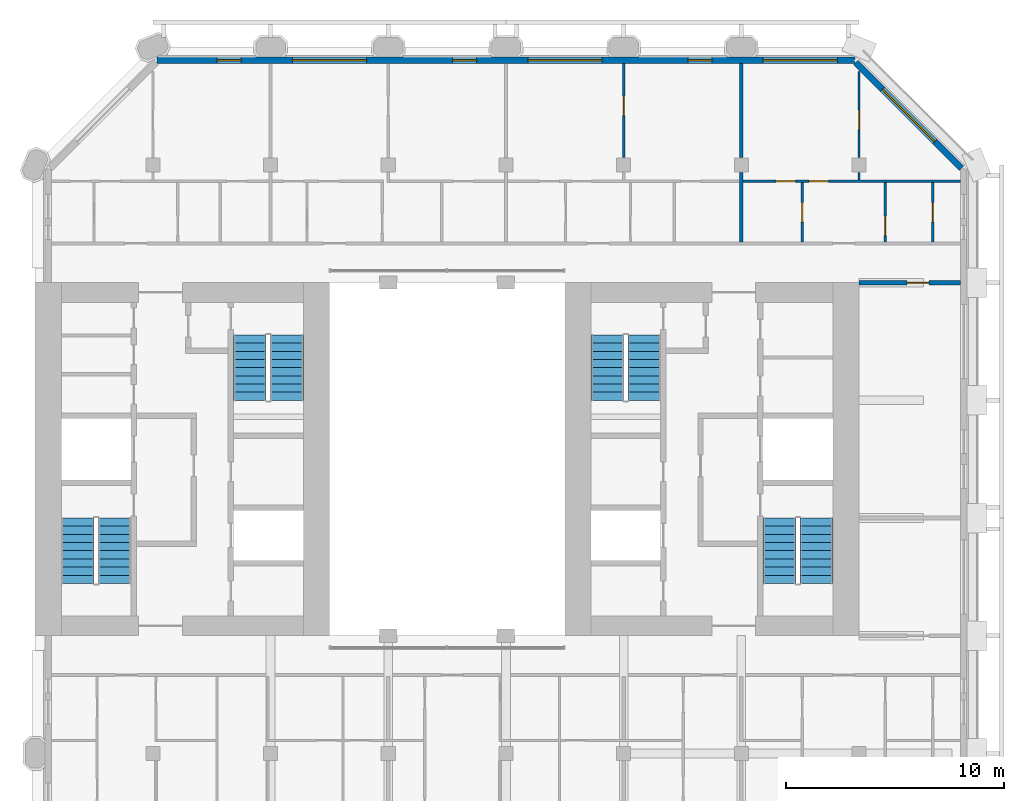
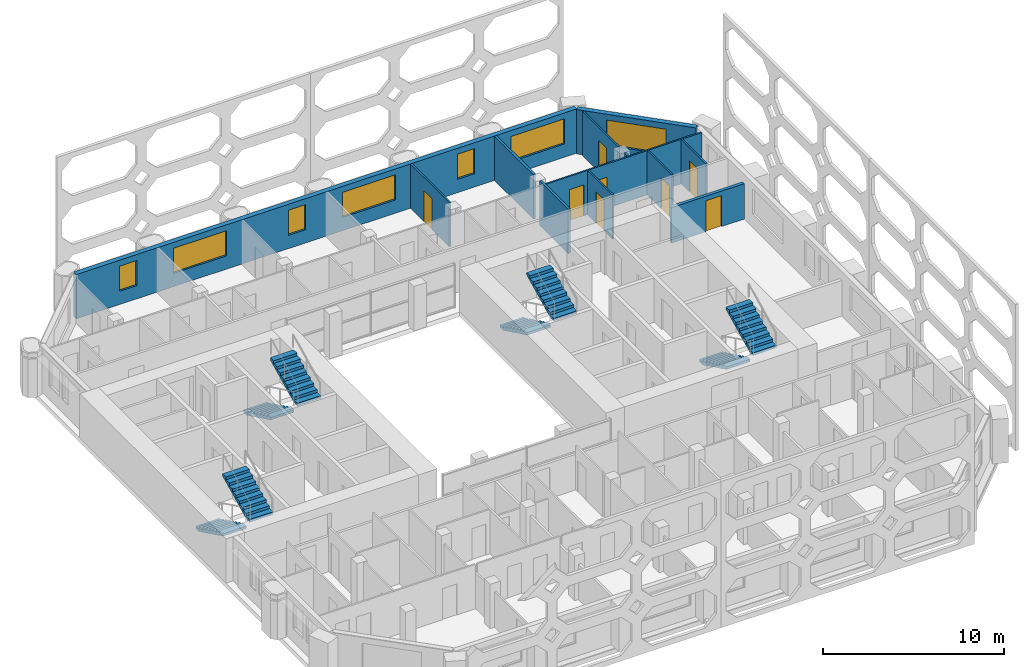
# One storey, part 11 of 15: 12 walls, 8 doors, 8 stair flights, 7 windows, 15 openings, 4 elements without a shape of their own.
"""IFC4 building model written with IfcOpenShell, lengths in metres."""

from ifc_helpers import new_model, si_unit, direction, frame, frame_2d, origin, place, context, subcontext, project, spatial, polyline, rectangle, outline, extrude, material, layer, layer_set, type_object, element, fill, aggregate, save


model = new_model("IFC4")

# Units and contexts
model_context = context("Model", 3, precision=1e-05, world=origin(), true_north=direction((0.0, 1.0)))
body_context = subcontext(model_context, "Body", "Model", "MODEL_VIEW")
ifc_project = project(units=[si_unit("LENGTHUNIT", "METRE"), si_unit("AREAUNIT", "SQUARE_METRE"), si_unit("VOLUMEUNIT", "CUBIC_METRE"), si_unit("PLANEANGLEUNIT", "RADIAN"), si_unit("MASSUNIT", "GRAM", prefix="KILO")], contexts=[model_context])

# Site, building, storey
site_placement = place(None, origin())
site = spatial("IfcSite", under=ifc_project, at=site_placement, CompositionType="ELEMENT")
building_placement = place(site_placement, origin())
building = spatial("IfcBuilding", under=site, at=building_placement, Name="Tabaq Tower and Sports Hall", CompositionType="ELEMENT")
storey_placement = place(building_placement, frame((0.0, 0.0, 278.5)))
storey = spatial("IfcBuildingStorey", under=building, at=storey_placement, Name="L68", CompositionType="ELEMENT", Elevation=278.5)

# Wall, opening, door
ifc_material_1 = material(Name="Blockwork", Category="masonry")
ifc_layer_1 = layer(ifc_material_1, 0.199951171875)
ifc_layer_set_1 = layer_set([ifc_layer_1], Name="Fire compartment wall 200 Blockwork")
wall_type_1 = type_object("IfcWallType", Name="Fire compartment wall 200 Blockwork", PredefinedType="PARTITIONING", material=ifc_layer_set_1)
wall_1_placement = place(storey_placement, frame((47.84912109375, 32.39990234375, 0.0), z_axis=(0.0, 0.0, 1.0), x_axis=(-1.0, 0.0, 0.0)))
wall_1 = element("IfcWall", 1, at=wall_1_placement, inside=storey, type_object=wall_type_1, Name="Compartment wall L68", PredefinedType="PARTITIONING", context=body_context, shape_type="SweptSolid", body=[
    extrude(rectangle(XDim=4.649169921875, YDim=0.199951171875, at=frame_2d((2.32470703125, 0.0))), origin(), (0.0, 0.0, 1.0), 2.39990234375),
])
opening_1_placement = place(wall_1_placement, frame((1.448974609375, 0.0, 0.0)))
opening_1 = element("IfcOpeningElement", 2, at=opening_1_placement, cuts=wall_1, Name="Opening L68-008", PredefinedType="OPENING", context=body_context, shape_type="SweptSolid", body=[
    extrude(rectangle(XDim=1.0, YDim=2.10009765625, at=frame_2d((0.5, 1.050048828125))), frame((0.0, 0.10009765625, 0.0), z_axis=(0.0, -1.0, 0.0), x_axis=(1.0, 0.0, 0.0)), (0.0, 0.0, 1.0), 0.199951171875),
])
ifc_material_2 = material(Name="Timber leaf in steel frame", Category="steel")
door_type_1 = type_object("IfcDoorType", Name="Internal door 1000 left hand", OperationType="SINGLE_SWING_LEFT", PredefinedType="DOOR", material=ifc_material_2)
door_1_placement = place(opening_1_placement, origin())
door_1 = element("IfcDoor", 3, at=door_1_placement, inside=storey, type_object=door_type_1, Name="Internal door L68-008", OperationType="SINGLE_SWING_LEFT", OverallHeight=2.10009765625, OverallWidth=1.0, PredefinedType="DOOR", context=body_context, shape_type="SweptSolid", body=[
    extrude(rectangle(XDim=1.0, YDim=2.10009765625, at=frame_2d((0.5, 1.050048828125))), frame((0.0, 0.02490234375, 0.0), z_axis=(0.0, -1.0, 0.0), x_axis=(1.0, 0.0, 0.0)), (0.0, 0.0, 1.0), 0.050048828125),
])
fill(opening_1, door_1)

ifc_material_3 = material(Name="Gypsum board on steel studs", Category="steel")
ifc_layer_2 = layer(ifc_material_3, 0.10009765625)
ifc_layer_set_2 = layer_set([ifc_layer_2], Name="Partition 100 Gypsum board")
wall_type_2 = type_object("IfcWallType", Name="Partition 100 Gypsum board", PredefinedType="PARTITIONING", material=ifc_layer_set_2)
wall_2_placement = place(storey_placement, frame((32.39990234375, 38.14501953125, 0.0), z_axis=(0.0, 0.0, 1.0), x_axis=(0.0, 1.0, 0.0)))
wall_2 = element("IfcWall", 4, at=wall_2_placement, inside=storey, type_object=wall_type_2, Name="Partition wall L68", PredefinedType="PARTITIONING", context=body_context, shape_type="SweptSolid", body=[
    extrude(rectangle(XDim=4.303955078125, YDim=0.10009765625, at=frame_2d((2.15185546875, 0.0))), origin(), (0.0, 0.0, 1.0), 3.0),
])
opening_2_placement = place(wall_2_placement, frame((1.91796875, 0.0, 0.0)))
opening_2 = element("IfcOpeningElement", 5, at=opening_2_placement, cuts=wall_2, Name="Opening L68-030", PredefinedType="OPENING", context=body_context, shape_type="SweptSolid", body=[
    extrude(rectangle(XDim=0.89990234375, YDim=2.10009765625, at=frame_2d((0.449951171875, 1.050048828125))), frame((0.0, 0.050048828125, 0.0), z_axis=(0.0, -1.0, 0.0), x_axis=(1.0, 0.0, 0.0)), (0.0, 0.0, 1.0), 0.10009765625),
])
ifc_material_4 = material(Name="Timber leaf in steel frame", Category="steel")
door_type_2 = type_object("IfcDoorType", Name="Internal door 900 left hand", OperationType="SINGLE_SWING_LEFT", PredefinedType="DOOR", material=ifc_material_4)
door_2_placement = place(opening_2_placement, origin())
door_2 = element("IfcDoor", 6, at=door_2_placement, inside=storey, type_object=door_type_2, Name="Internal door L68-030", OperationType="SINGLE_SWING_LEFT", OverallHeight=2.10009765625, OverallWidth=0.89990234375, PredefinedType="DOOR", context=body_context, shape_type="SweptSolid", body=[
    extrude(rectangle(XDim=0.89990234375, YDim=2.10009765625, at=frame_2d((0.449951171875, 1.050048828125))), frame((0.0, 0.02490234375, 0.0), z_axis=(0.0, -1.0, 0.0), x_axis=(1.0, 0.0, 0.0)), (0.0, 0.0, 1.0), 0.050048828125),
])
fill(opening_2, door_2)

# Wall
wall_3_placement = place(storey_placement, frame((43.199951171875, 37.10009765625, 0.0), z_axis=(0.0, 0.0, 1.0), x_axis=(0.0, 1.0, 0.0)))
element("IfcWall", 7, at=wall_3_placement, inside=storey, type_object=wall_type_2, Name="Partition wall L68", PredefinedType="PARTITIONING", context=body_context, shape_type="SweptSolid", body=[
    extrude(rectangle(XDim=0.35498046875, YDim=0.10009765625, at=frame_2d((0.177490234375, 0.0))), origin(), (0.0, 0.0, 1.0), 3.0),
])

# Wall, opening, door
wall_4_placement = place(storey_placement, frame((43.199951171875, 38.14501953125, 0.0), z_axis=(0.0, 0.0, 1.0), x_axis=(0.0, 1.0, 0.0)))
wall_4 = element("IfcWall", 8, at=wall_4_placement, inside=storey, type_object=wall_type_2, Name="Partition wall L68", PredefinedType="PARTITIONING", context=body_context, shape_type="SweptSolid", body=[
    extrude(rectangle(XDim=3.94287109375, YDim=0.10009765625, at=frame_2d((1.971435546875, 0.0))), origin(), (0.0, 0.0, 1.0), 3.0),
])
opening_3_placement = place(wall_4_placement, frame((1.273681640625, 0.0, 0.0)))
opening_3 = element("IfcOpeningElement", 9, at=opening_3_placement, cuts=wall_4, Name="Opening L68-033", PredefinedType="OPENING", context=body_context, shape_type="SweptSolid", body=[
    extrude(rectangle(XDim=0.89990234375, YDim=2.10009765625, at=frame_2d((0.449951171875, 1.050048828125))), frame((0.0, 0.050048828125, 0.0), z_axis=(0.0, -1.0, 0.0), x_axis=(1.0, 0.0, 0.0)), (0.0, 0.0, 1.0), 0.10009765625),
])
door_3_placement = place(opening_3_placement, origin())
door_3 = element("IfcDoor", 10, at=door_3_placement, inside=storey, type_object=door_type_2, Name="Internal door L68-033", OperationType="SINGLE_SWING_LEFT", OverallHeight=2.10009765625, OverallWidth=0.89990234375, PredefinedType="DOOR", context=body_context, shape_type="SweptSolid", body=[
    extrude(rectangle(XDim=0.89990234375, YDim=2.10009765625, at=frame_2d((0.449951171875, 1.050048828125))), frame((0.0, 0.02490234375, 0.0), z_axis=(0.0, -1.0, 0.0), x_axis=(1.0, 0.0, 0.0)), (0.0, 0.0, 1.0), 0.050048828125),
])
fill(opening_3, door_3)

# Wall, openings, doors
wall_5_placement = place(storey_placement, frame((37.875, 37.050048828125, 0.0), z_axis=(0.0, 0.0, 1.0), x_axis=(1.0, 0.0, 0.0)))
wall_5 = element("IfcWall", 11, at=wall_5_placement, inside=storey, type_object=wall_type_2, Name="Partition wall L68", PredefinedType="PARTITIONING", context=body_context, shape_type="SweptSolid", body=[
    extrude(rectangle(XDim=9.97412109375, YDim=0.10009765625, at=frame_2d((4.987060546875, 0.0))), origin(), (0.0, 0.0, 1.0), 3.0),
])
opening_4_placement = place(wall_5_placement, frame((1.51904296875, 0.0, 0.0)))
opening_4 = element("IfcOpeningElement", 12, at=opening_4_placement, cuts=wall_5, Name="Opening L68-034", PredefinedType="OPENING", context=body_context, shape_type="SweptSolid", body=[
    extrude(rectangle(XDim=0.89990234375, YDim=2.10009765625, at=frame_2d((0.449951171875, 1.050048828125))), frame((0.0, 0.050048828125, 0.0), z_axis=(0.0, -1.0, 0.0), x_axis=(1.0, 0.0, 0.0)), (0.0, 0.0, 1.0), 0.10009765625),
])
opening_5_placement = place(wall_5_placement, frame((3.01904296875, 0.0, 0.0)))
opening_5 = element("IfcOpeningElement", 13, at=opening_5_placement, cuts=wall_5, Name="Opening L68-053", PredefinedType="OPENING", context=body_context, shape_type="SweptSolid", body=[
    extrude(rectangle(XDim=0.89990234375, YDim=2.10009765625, at=frame_2d((0.449951171875, 1.050048828125))), frame((0.0, 0.050048828125, 0.0), z_axis=(0.0, -1.0, 0.0), x_axis=(1.0, 0.0, 0.0)), (0.0, 0.0, 1.0), 0.10009765625),
])
door_4_placement = place(opening_4_placement, origin())
door_4 = element("IfcDoor", 14, at=door_4_placement, inside=storey, type_object=door_type_2, Name="Internal door L68-034", OperationType="SINGLE_SWING_LEFT", OverallHeight=2.10009765625, OverallWidth=0.89990234375, PredefinedType="DOOR", context=body_context, shape_type="SweptSolid", body=[
    extrude(rectangle(XDim=0.89990234375, YDim=2.10009765625, at=frame_2d((0.449951171875, 1.050048828125))), frame((0.0, 0.02490234375, 0.0), z_axis=(0.0, -1.0, 0.0), x_axis=(1.0, 0.0, 0.0)), (0.0, 0.0, 1.0), 0.050048828125),
])
fill(opening_4, door_4)
ifc_material_5 = material(Name="Timber leaf in steel frame", Category="steel")
door_type_3 = type_object("IfcDoorType", Name="Internal door 900 right hand", OperationType="SINGLE_SWING_RIGHT", PredefinedType="DOOR", material=ifc_material_5)
door_5_placement = place(opening_5_placement, origin())
door_5 = element("IfcDoor", 15, at=door_5_placement, inside=storey, type_object=door_type_3, Name="Internal door L68-053", OperationType="SINGLE_SWING_RIGHT", OverallHeight=2.10009765625, OverallWidth=0.89990234375, PredefinedType="DOOR", context=body_context, shape_type="SweptSolid", body=[
    extrude(rectangle(XDim=0.89990234375, YDim=2.10009765625, at=frame_2d((0.449951171875, 1.050048828125))), frame((0.0, 0.02490234375, 0.0), z_axis=(0.0, -1.0, 0.0), x_axis=(1.0, 0.0, 0.0)), (0.0, 0.0, 1.0), 0.050048828125),
])
fill(opening_5, door_5)

# Wall, opening, door
wall_6_placement = place(storey_placement, frame((40.593994140625, 34.27490234375, 0.0), z_axis=(0.0, 0.0, 1.0), x_axis=(0.0, 1.0, 0.0)))
wall_6 = element("IfcWall", 16, at=wall_6_placement, inside=storey, type_object=wall_type_2, Name="Partition wall L68", PredefinedType="PARTITIONING", context=body_context, shape_type="SweptSolid", body=[
    extrude(rectangle(XDim=2.72509765625, YDim=0.10009765625, at=frame_2d((1.362548828125, 0.0))), origin(), (0.0, 0.0, 1.0), 3.0),
])
opening_6_placement = place(wall_6_placement, frame((0.89990234375, 0.0, 0.0)))
opening_6 = element("IfcOpeningElement", 17, at=opening_6_placement, cuts=wall_6, Name="Opening L68-035", PredefinedType="OPENING", context=body_context, shape_type="SweptSolid", body=[
    extrude(rectangle(XDim=0.89990234375, YDim=2.10009765625, at=frame_2d((0.449951171875, 1.050048828125))), frame((0.0, 0.050048828125, 0.0), z_axis=(0.0, -1.0, 0.0), x_axis=(1.0, 0.0, 0.0)), (0.0, 0.0, 1.0), 0.10009765625),
])
door_6_placement = place(opening_6_placement, origin())
door_6 = element("IfcDoor", 18, at=door_6_placement, inside=storey, type_object=door_type_3, Name="Internal door L68-035", OperationType="SINGLE_SWING_RIGHT", OverallHeight=2.10009765625, OverallWidth=0.89990234375, PredefinedType="DOOR", context=body_context, shape_type="SweptSolid", body=[
    extrude(rectangle(XDim=0.89990234375, YDim=2.10009765625, at=frame_2d((0.449951171875, 1.050048828125))), frame((0.0, 0.02490234375, 0.0), z_axis=(0.0, -1.0, 0.0), x_axis=(1.0, 0.0, 0.0)), (0.0, 0.0, 1.0), 0.050048828125),
])
fill(opening_6, door_6)

wall_7_placement = place(storey_placement, frame((44.405029296875, 34.27490234375, 0.0), z_axis=(0.0, 0.0, 1.0), x_axis=(0.0, 1.0, 0.0)))
wall_7 = element("IfcWall", 19, at=wall_7_placement, inside=storey, type_object=wall_type_2, Name="Partition wall L68", PredefinedType="PARTITIONING", context=body_context, shape_type="SweptSolid", body=[
    extrude(rectangle(XDim=2.72509765625, YDim=0.10009765625, at=frame_2d((1.362548828125, 0.0))), origin(), (0.0, 0.0, 1.0), 3.0),
])
opening_7_placement = place(wall_7_placement, frame((0.281005859375, 0.0, 0.0)))
opening_7 = element("IfcOpeningElement", 20, at=opening_7_placement, cuts=wall_7, Name="Opening L68-007", PredefinedType="OPENING", context=body_context, shape_type="SweptSolid", body=[
    extrude(rectangle(XDim=0.89990234375, YDim=2.10009765625, at=frame_2d((0.449951171875, 1.050048828125))), frame((0.0, 0.050048828125, 0.0), z_axis=(0.0, -1.0, 0.0), x_axis=(1.0, 0.0, 0.0)), (0.0, 0.0, 1.0), 0.10009765625),
])
door_7_placement = place(opening_7_placement, origin())
door_7 = element("IfcDoor", 21, at=door_7_placement, inside=storey, type_object=door_type_3, Name="Internal door L68-007", OperationType="SINGLE_SWING_RIGHT", OverallHeight=2.10009765625, OverallWidth=0.89990234375, PredefinedType="DOOR", context=body_context, shape_type="SweptSolid", body=[
    extrude(rectangle(XDim=0.89990234375, YDim=2.10009765625, at=frame_2d((0.449951171875, 1.050048828125))), frame((0.0, 0.02490234375, 0.0), z_axis=(0.0, -1.0, 0.0), x_axis=(1.0, 0.0, 0.0)), (0.0, 0.0, 1.0), 0.050048828125),
])
fill(opening_7, door_7)

wall_8_placement = place(storey_placement, frame((46.577880859375, 34.27490234375, 0.0), z_axis=(0.0, 0.0, 1.0), x_axis=(0.0, 1.0, 0.0)))
wall_8 = element("IfcWall", 22, at=wall_8_placement, inside=storey, type_object=wall_type_2, Name="Partition wall L68", PredefinedType="PARTITIONING", context=body_context, shape_type="SweptSolid", body=[
    extrude(rectangle(XDim=2.72509765625, YDim=0.10009765625, at=frame_2d((1.362548828125, 0.0))), origin(), (0.0, 0.0, 1.0), 3.0),
])
opening_8_placement = place(wall_8_placement, frame((0.89990234375, 0.0, 0.0)))
opening_8 = element("IfcOpeningElement", 23, at=opening_8_placement, cuts=wall_8, Name="Opening L68-067", PredefinedType="OPENING", context=body_context, shape_type="SweptSolid", body=[
    extrude(rectangle(XDim=0.89990234375, YDim=2.10009765625, at=frame_2d((0.449951171875, 1.050048828125))), frame((0.0, 0.050048828125, 0.0), z_axis=(0.0, -1.0, 0.0), x_axis=(1.0, 0.0, 0.0)), (0.0, 0.0, 1.0), 0.10009765625),
])
door_8_placement = place(opening_8_placement, origin())
door_8 = element("IfcDoor", 24, at=door_8_placement, inside=storey, type_object=door_type_2, Name="Internal door L68-067", OperationType="SINGLE_SWING_LEFT", OverallHeight=2.10009765625, OverallWidth=0.89990234375, PredefinedType="DOOR", context=body_context, shape_type="SweptSolid", body=[
    extrude(rectangle(XDim=0.89990234375, YDim=2.10009765625, at=frame_2d((0.449951171875, 1.050048828125))), frame((0.0, 0.02490234375, 0.0), z_axis=(0.0, -1.0, 0.0), x_axis=(1.0, 0.0, 0.0)), (0.0, 0.0, 1.0), 0.050048828125),
])
fill(opening_8, door_8)

# Walls
ifc_material_6 = material(Name="Blockwork", Category="masonry")
ifc_layer_3 = layer(ifc_material_6, 0.14990234375)
ifc_layer_set_3 = layer_set([ifc_layer_3], Name="Separating wall 150 Blockwork")
wall_type_3 = type_object("IfcWallType", Name="Separating wall 150 Blockwork", PredefinedType="PARTITIONING", material=ifc_layer_set_3)
wall_9_placement = place(storey_placement, frame((37.800048828125, 38.14501953125, 0.0), z_axis=(0.0, 0.0, 1.0), x_axis=(0.0, 1.0, 0.0)))
element("IfcWall", 25, at=wall_9_placement, inside=storey, type_object=wall_type_3, Name="Separating wall L68", PredefinedType="PARTITIONING", context=body_context, shape_type="SweptSolid", body=[
    extrude(rectangle(XDim=4.303955078125, YDim=0.14990234375, at=frame_2d((2.15185546875, 0.0))), origin(), (0.0, 0.0, 1.0), 3.0),
])
wall_10_placement = place(storey_placement, frame((37.800048828125, 34.27490234375, 0.0), z_axis=(0.0, 0.0, 1.0), x_axis=(0.0, 1.0, 0.0)))
element("IfcWall", 26, at=wall_10_placement, inside=storey, type_object=wall_type_3, Name="Separating wall L68", PredefinedType="PARTITIONING", context=body_context, shape_type="SweptSolid", body=[
    extrude(rectangle(XDim=3.18017578125, YDim=0.14990234375, at=frame_2d((1.590087890625, 0.0))), origin(), (0.0, 0.0, 1.0), 3.0),
])

# Wall, opening, window
ifc_material_7 = material(Name="White precast concrete C60/75", Category="concrete")
ifc_layer_4 = layer(ifc_material_7, 0.300048828125)
ifc_layer_set_4 = layer_set([ifc_layer_4], Name="White precast concrete C60/75 external wall 300")
wall_type_4 = type_object("IfcWallType", Name="White precast concrete C60/75 external wall 300", PredefinedType="SOLIDWALL", material=ifc_layer_set_4)
wall_11_placement = place(storey_placement, frame((47.901123046875, 37.650390625, 0.0), z_axis=(0.0, 0.0, 1.0), x_axis=(-0.707106781187, 0.707106781187, 0.0)))
wall_11 = element("IfcWall", 27, at=wall_11_placement, inside=storey, type_object=wall_type_4, Name="External Wall L68 NE", PredefinedType="SOLIDWALL", context=body_context, shape_type="SweptSolid", body=[
    extrude(rectangle(XDim=6.85986328125, YDim=0.300048828125, at=frame_2d((3.429931640625, 0.0))), origin(), (0.0, 0.0, 1.0), 3.0),
])
opening_9_placement = place(wall_11_placement, frame((1.729736328125, 0.0, 0.89990234375)))
opening_9 = element("IfcOpeningElement", 28, at=opening_9_placement, cuts=wall_11, Name="Opening W1A", PredefinedType="OPENING", context=body_context, shape_type="SweptSolid", body=[
    extrude(rectangle(XDim=3.39990234375, YDim=1.699951171875, at=frame_2d((1.699951171875, 0.85009765625))), frame((0.0, 0.16015625, 0.0), z_axis=(0.0, -1.0, 0.0), x_axis=(1.0, 0.0, 0.0)), (0.0, 0.0, 1.0), 0.320068359375),
])
ifc_material_8 = material(Name="Aluminium framed clear glazing", Category="aluminium")
window_type_1 = type_object("IfcWindowType", Name="Window W1A", PartitioningType="SINGLE_PANEL", PredefinedType="WINDOW", material=ifc_material_8)
window_1_placement = place(opening_9_placement, origin())
window_1 = element("IfcWindow", 29, at=window_1_placement, inside=storey, type_object=window_type_1, Name="Window W1A L68", OverallHeight=1.699951171875, OverallWidth=3.39990234375, PartitioningType="SINGLE_PANEL", PredefinedType="WINDOW", context=body_context, shape_type="SweptSolid", body=[
    extrude(rectangle(XDim=3.39990234375, YDim=1.699951171875, at=frame_2d((1.699951171875, 0.85009765625))), frame((0.0, 0.030029296875, 0.0), z_axis=(0.0, -1.0, 0.0), x_axis=(1.0, 0.0, 0.0)), (0.0, 0.0, 1.0), 0.06005859375),
])
fill(opening_9, window_1)

# Wall, openings, windows
wall_12_placement = place(storey_placement, frame((43.013671875, 42.60009765625, 0.0), z_axis=(0.0, 0.0, 1.0), x_axis=(-1.0, 0.0, 0.0)))
wall_12 = element("IfcWall", 30, at=wall_12_placement, inside=storey, type_object=wall_type_4, Name="External Wall L68 N", PredefinedType="SOLIDWALL", context=body_context, shape_type="SweptSolid", body=[
    extrude(rectangle(XDim=32.02734375, YDim=0.300048828125, at=frame_2d((16.013671875, 0.0))), origin(), (0.0, 0.0, 1.0), 3.0),
])
opening_10_placement = place(wall_12_placement, frame((0.813720703125, 0.0, 0.89990234375)))
opening_10 = element("IfcOpeningElement", 31, at=opening_10_placement, cuts=wall_12, Name="Opening W1A", PredefinedType="OPENING", context=body_context, shape_type="SweptSolid", body=[
    extrude(rectangle(XDim=3.39990234375, YDim=1.699951171875, at=frame_2d((1.699951171875, 0.85009765625))), frame((0.0, 0.16015625, 0.0), z_axis=(0.0, -1.0, 0.0), x_axis=(1.0, 0.0, 0.0)), (0.0, 0.0, 1.0), 0.320068359375),
])
opening_11_placement = place(wall_12_placement, frame((6.563720703125, 0.0, 0.89990234375)))
opening_11 = element("IfcOpeningElement", 32, at=opening_11_placement, cuts=wall_12, Name="Opening W1B", PredefinedType="OPENING", context=body_context, shape_type="SweptSolid", body=[
    extrude(rectangle(XDim=1.10009765625, YDim=1.699951171875, at=frame_2d((0.550048828125, 0.85009765625))), frame((0.0, 0.16015625, 0.0), z_axis=(0.0, -1.0, 0.0), x_axis=(1.0, 0.0, 0.0)), (0.0, 0.0, 1.0), 0.320068359375),
])
opening_12_placement = place(wall_12_placement, frame((11.613525390625, 0.0, 0.89990234375)))
opening_12 = element("IfcOpeningElement", 33, at=opening_12_placement, cuts=wall_12, Name="Opening W1A", PredefinedType="OPENING", context=body_context, shape_type="SweptSolid", body=[
    extrude(rectangle(XDim=3.39990234375, YDim=1.699951171875, at=frame_2d((1.699951171875, 0.85009765625))), frame((0.0, 0.16015625, 0.0), z_axis=(0.0, -1.0, 0.0), x_axis=(1.0, 0.0, 0.0)), (0.0, 0.0, 1.0), 0.320068359375),
])
opening_13_placement = place(wall_12_placement, frame((17.363525390625, 0.0, 0.89990234375)))
opening_13 = element("IfcOpeningElement", 34, at=opening_13_placement, cuts=wall_12, Name="Opening W1B", PredefinedType="OPENING", context=body_context, shape_type="SweptSolid", body=[
    extrude(rectangle(XDim=1.10009765625, YDim=1.699951171875, at=frame_2d((0.550048828125, 0.85009765625))), frame((0.0, 0.16015625, 0.0), z_axis=(0.0, -1.0, 0.0), x_axis=(1.0, 0.0, 0.0)), (0.0, 0.0, 1.0), 0.320068359375),
])
opening_14_placement = place(wall_12_placement, frame((22.41357421875, 0.0, 0.89990234375)))
opening_14 = element("IfcOpeningElement", 35, at=opening_14_placement, cuts=wall_12, Name="Opening W1A", PredefinedType="OPENING", context=body_context, shape_type="SweptSolid", body=[
    extrude(rectangle(XDim=3.39990234375, YDim=1.699951171875, at=frame_2d((1.699951171875, 0.85009765625))), frame((0.0, 0.16015625, 0.0), z_axis=(0.0, -1.0, 0.0), x_axis=(1.0, 0.0, 0.0)), (0.0, 0.0, 1.0), 0.320068359375),
])
opening_15_placement = place(wall_12_placement, frame((28.16357421875, 0.0, 0.89990234375)))
opening_15 = element("IfcOpeningElement", 36, at=opening_15_placement, cuts=wall_12, Name="Opening W1B", PredefinedType="OPENING", context=body_context, shape_type="SweptSolid", body=[
    extrude(rectangle(XDim=1.10009765625, YDim=1.699951171875, at=frame_2d((0.550048828125, 0.85009765625))), frame((0.0, 0.16015625, 0.0), z_axis=(0.0, -1.0, 0.0), x_axis=(1.0, 0.0, 0.0)), (0.0, 0.0, 1.0), 0.320068359375),
])
window_2_placement = place(opening_10_placement, origin())
window_2 = element("IfcWindow", 37, at=window_2_placement, inside=storey, type_object=window_type_1, Name="Window W1A L68", OverallHeight=1.699951171875, OverallWidth=3.39990234375, PartitioningType="SINGLE_PANEL", PredefinedType="WINDOW", context=body_context, shape_type="SweptSolid", body=[
    extrude(rectangle(XDim=3.39990234375, YDim=1.699951171875, at=frame_2d((1.699951171875, 0.85009765625))), frame((0.0, 0.030029296875, 0.0), z_axis=(0.0, -1.0, 0.0), x_axis=(1.0, 0.0, 0.0)), (0.0, 0.0, 1.0), 0.06005859375),
])
fill(opening_10, window_2)
window_3_placement = place(opening_12_placement, origin())
window_3 = element("IfcWindow", 38, at=window_3_placement, inside=storey, type_object=window_type_1, Name="Window W1A L68", OverallHeight=1.699951171875, OverallWidth=3.39990234375, PartitioningType="SINGLE_PANEL", PredefinedType="WINDOW", context=body_context, shape_type="SweptSolid", body=[
    extrude(rectangle(XDim=3.39990234375, YDim=1.699951171875, at=frame_2d((1.699951171875, 0.85009765625))), frame((0.0, 0.030029296875, 0.0), z_axis=(0.0, -1.0, 0.0), x_axis=(1.0, 0.0, 0.0)), (0.0, 0.0, 1.0), 0.06005859375),
])
fill(opening_12, window_3)
window_4_placement = place(opening_14_placement, origin())
window_4 = element("IfcWindow", 39, at=window_4_placement, inside=storey, type_object=window_type_1, Name="Window W1A L68", OverallHeight=1.699951171875, OverallWidth=3.39990234375, PartitioningType="SINGLE_PANEL", PredefinedType="WINDOW", context=body_context, shape_type="SweptSolid", body=[
    extrude(rectangle(XDim=3.39990234375, YDim=1.699951171875, at=frame_2d((1.699951171875, 0.85009765625))), frame((0.0, 0.030029296875, 0.0), z_axis=(0.0, -1.0, 0.0), x_axis=(1.0, 0.0, 0.0)), (0.0, 0.0, 1.0), 0.06005859375),
])
fill(opening_14, window_4)
ifc_material_9 = material(Name="Aluminium framed clear glazing", Category="aluminium")
window_type_2 = type_object("IfcWindowType", Name="Window W1B", PartitioningType="SINGLE_PANEL", PredefinedType="WINDOW", material=ifc_material_9)
window_5_placement = place(opening_11_placement, origin())
window_5 = element("IfcWindow", 40, at=window_5_placement, inside=storey, type_object=window_type_2, Name="Window W1B L68", OverallHeight=1.699951171875, OverallWidth=1.10009765625, PartitioningType="SINGLE_PANEL", PredefinedType="WINDOW", context=body_context, shape_type="SweptSolid", body=[
    extrude(rectangle(XDim=1.10009765625, YDim=1.699951171875, at=frame_2d((0.550048828125, 0.85009765625))), frame((0.0, 0.030029296875, 0.0), z_axis=(0.0, -1.0, 0.0), x_axis=(1.0, 0.0, 0.0)), (0.0, 0.0, 1.0), 0.06005859375),
])
fill(opening_11, window_5)
window_6_placement = place(opening_13_placement, origin())
window_6 = element("IfcWindow", 41, at=window_6_placement, inside=storey, type_object=window_type_2, Name="Window W1B L68", OverallHeight=1.699951171875, OverallWidth=1.10009765625, PartitioningType="SINGLE_PANEL", PredefinedType="WINDOW", context=body_context, shape_type="SweptSolid", body=[
    extrude(rectangle(XDim=1.10009765625, YDim=1.699951171875, at=frame_2d((0.550048828125, 0.85009765625))), frame((0.0, 0.030029296875, 0.0), z_axis=(0.0, -1.0, 0.0), x_axis=(1.0, 0.0, 0.0)), (0.0, 0.0, 1.0), 0.06005859375),
])
fill(opening_13, window_6)
window_7_placement = place(opening_15_placement, origin())
window_7 = element("IfcWindow", 42, at=window_7_placement, inside=storey, type_object=window_type_2, Name="Window W1B L68", OverallHeight=1.699951171875, OverallWidth=1.10009765625, PartitioningType="SINGLE_PANEL", PredefinedType="WINDOW", context=body_context, shape_type="SweptSolid", body=[
    extrude(rectangle(XDim=1.10009765625, YDim=1.699951171875, at=frame_2d((0.550048828125, 0.85009765625))), frame((0.0, 0.030029296875, 0.0), z_axis=(0.0, -1.0, 0.0), x_axis=(1.0, 0.0, 0.0)), (0.0, 0.0, 1.0), 0.06005859375),
])
fill(opening_15, window_7)

# Stair, stair flights
ifc_material_10 = material(Name="Concrete C40/50", Category="concrete")
stair_type = type_object("IfcStairType", Name="Exit stair", PredefinedType="HALF_TURN_STAIR", material=ifc_material_10)
stair_1_placement = place(storey_placement, origin())
stair_1 = element("IfcStair", 43, at=stair_1_placement, inside=storey, type_object=stair_type, Name="L68 Exit stair ST1", PredefinedType="HALF_TURN_STAIR")
ifc_material_11 = material(Name="Concrete C40/50", Category="concrete")
stair_flight_type = type_object("IfcStairFlightType", Name="Exit stair flight", PredefinedType="STRAIGHT", material=ifc_material_11)
stair_flight_1_placement = place(storey_placement, frame((7.35009765625, 21.60009765625, 0.0), z_axis=(0.0, 0.0, 1.0), x_axis=(0.0, -1.0, 0.0)))
stair_flight_1 = element("IfcStairFlight", 44, at=stair_flight_1_placement, type_object=stair_flight_type, Name="ST1 flight 1", NumberOfRisers=9, NumberOfTreads=8, PredefinedType="STRAIGHT", RiserHeight=0.183333333, TreadLength=0.375, context=body_context, shape_type="SweptSolid", body=[
    extrude(outline(polyline([(0.0, 0.0), (0.0, 0.183349609375), (0.375, 0.183349609375), (0.375, 0.36669921875), (0.75, 0.36669921875), (0.75, 0.550048828125), (1.125, 0.550048828125), (1.125, 0.7333984375), (1.5, 0.7333984375), (1.5, 0.916748046875), (1.875, 0.916748046875), (1.875, 1.10009765625), (2.25, 1.10009765625), (2.25, 1.283447265625), (2.625, 1.283447265625), (2.625, 1.466552734375), (3.0, 1.466552734375), (3.0, 1.64990234375), (3.0, 1.2998046875), (0.34130859375, 0.0), (0.0, 0.0)])), frame((0.0, 0.75, 0.0), z_axis=(0.0, -1.0, 0.0), x_axis=(1.0, 0.0, 0.0)), (0.0, 0.0, 1.0), 1.5),
])
stair_flight_2_placement = place(storey_placement, frame((9.050048828125, 18.60009765625, 1.64990234375), z_axis=(0.0, 0.0, 1.0), x_axis=(0.0, 1.0, 0.0)))
stair_flight_2 = element("IfcStairFlight", 45, at=stair_flight_2_placement, type_object=stair_flight_type, Name="ST1 flight 2", NumberOfRisers=9, NumberOfTreads=8, PredefinedType="STRAIGHT", RiserHeight=0.183333333, TreadLength=0.375, context=body_context, shape_type="SweptSolid", body=[
    extrude(outline(polyline([(0.0, 0.0), (0.0, 0.183349609375), (0.375, 0.183349609375), (0.375, 0.36669921875), (0.75, 0.36669921875), (0.75, 0.550048828125), (1.125, 0.550048828125), (1.125, 0.7333984375), (1.5, 0.7333984375), (1.5, 0.916748046875), (1.875, 0.916748046875), (1.875, 1.10009765625), (2.25, 1.10009765625), (2.25, 1.283447265625), (2.625, 1.283447265625), (2.625, 1.466552734375), (3.0, 1.466552734375), (3.0, 1.64990234375), (3.0, 1.2998046875), (0.34130859375, 0.0), (0.0, 0.0)])), frame((0.0, 0.75, 0.0), z_axis=(0.0, -1.0, 0.0), x_axis=(1.0, 0.0, 0.0)), (0.0, 0.0, 1.0), 1.5),
])
aggregate(stair_1, [stair_flight_1, stair_flight_2])

stair_2_placement = place(storey_placement, origin())
stair_2 = element("IfcStair", 46, at=stair_2_placement, inside=storey, type_object=stair_type, Name="L68 Exit stair ST2", PredefinedType="HALF_TURN_STAIR")
stair_flight_3_placement = place(storey_placement, frame((15.25, 30.0, 0.0), z_axis=(0.0, 0.0, 1.0), x_axis=(0.0, -1.0, 0.0)))
stair_flight_3 = element("IfcStairFlight", 47, at=stair_flight_3_placement, type_object=stair_flight_type, Name="ST2 flight 1", NumberOfRisers=9, NumberOfTreads=8, PredefinedType="STRAIGHT", RiserHeight=0.183333333, TreadLength=0.375, context=body_context, shape_type="SweptSolid", body=[
    extrude(outline(polyline([(0.0, 0.0), (0.0, 0.183349609375), (0.375, 0.183349609375), (0.375, 0.36669921875), (0.75, 0.36669921875), (0.75, 0.550048828125), (1.125, 0.550048828125), (1.125, 0.7333984375), (1.5, 0.7333984375), (1.5, 0.916748046875), (1.875, 0.916748046875), (1.875, 1.10009765625), (2.25, 1.10009765625), (2.25, 1.283447265625), (2.625, 1.283447265625), (2.625, 1.466552734375), (3.0, 1.466552734375), (3.0, 1.64990234375), (3.0, 1.2998046875), (0.34130859375, 0.0), (0.0, 0.0)])), frame((0.0, 0.75, 0.0), z_axis=(0.0, -1.0, 0.0), x_axis=(1.0, 0.0, 0.0)), (0.0, 0.0, 1.0), 1.5),
])
stair_flight_4_placement = place(storey_placement, frame((16.949951171875, 27.0, 1.64990234375), z_axis=(0.0, 0.0, 1.0), x_axis=(0.0, 1.0, 0.0)))
stair_flight_4 = element("IfcStairFlight", 48, at=stair_flight_4_placement, type_object=stair_flight_type, Name="ST2 flight 2", NumberOfRisers=9, NumberOfTreads=8, PredefinedType="STRAIGHT", RiserHeight=0.183333333, TreadLength=0.375, context=body_context, shape_type="SweptSolid", body=[
    extrude(outline(polyline([(0.0, 0.0), (0.0, 0.183349609375), (0.375, 0.183349609375), (0.375, 0.36669921875), (0.75, 0.36669921875), (0.75, 0.550048828125), (1.125, 0.550048828125), (1.125, 0.7333984375), (1.5, 0.7333984375), (1.5, 0.916748046875), (1.875, 0.916748046875), (1.875, 1.10009765625), (2.25, 1.10009765625), (2.25, 1.283447265625), (2.625, 1.283447265625), (2.625, 1.466552734375), (3.0, 1.466552734375), (3.0, 1.64990234375), (3.0, 1.2998046875), (0.34130859375, 0.0), (0.0, 0.0)])), frame((0.0, 0.75, 0.0), z_axis=(0.0, -1.0, 0.0), x_axis=(1.0, 0.0, 0.0)), (0.0, 0.0, 1.0), 1.5),
])
aggregate(stair_2, [stair_flight_3, stair_flight_4])

stair_3_placement = place(storey_placement, origin())
stair_3 = element("IfcStair", 49, at=stair_3_placement, inside=storey, type_object=stair_type, Name="L68 Exit stair ST3", PredefinedType="HALF_TURN_STAIR")
stair_flight_5_placement = place(storey_placement, frame((39.550048828125, 21.60009765625, 0.0), z_axis=(0.0, 0.0, 1.0), x_axis=(0.0, -1.0, 0.0)))
stair_flight_5 = element("IfcStairFlight", 50, at=stair_flight_5_placement, type_object=stair_flight_type, Name="ST3 flight 1", NumberOfRisers=9, NumberOfTreads=8, PredefinedType="STRAIGHT", RiserHeight=0.183333333, TreadLength=0.375, context=body_context, shape_type="SweptSolid", body=[
    extrude(outline(polyline([(0.0, 0.0), (0.0, 0.183349609375), (0.375, 0.183349609375), (0.375, 0.36669921875), (0.75, 0.36669921875), (0.75, 0.550048828125), (1.125, 0.550048828125), (1.125, 0.7333984375), (1.5, 0.7333984375), (1.5, 0.916748046875), (1.875, 0.916748046875), (1.875, 1.10009765625), (2.25, 1.10009765625), (2.25, 1.283447265625), (2.625, 1.283447265625), (2.625, 1.466552734375), (3.0, 1.466552734375), (3.0, 1.64990234375), (3.0, 1.2998046875), (0.34130859375, 0.0), (0.0, 0.0)])), frame((0.0, 0.75, 0.0), z_axis=(0.0, -1.0, 0.0), x_axis=(1.0, 0.0, 0.0)), (0.0, 0.0, 1.0), 1.5),
])
stair_flight_6_placement = place(storey_placement, frame((41.25, 18.60009765625, 1.64990234375), z_axis=(0.0, 0.0, 1.0), x_axis=(0.0, 1.0, 0.0)))
stair_flight_6 = element("IfcStairFlight", 51, at=stair_flight_6_placement, type_object=stair_flight_type, Name="ST3 flight 2", NumberOfRisers=9, NumberOfTreads=8, PredefinedType="STRAIGHT", RiserHeight=0.183333333, TreadLength=0.375, context=body_context, shape_type="SweptSolid", body=[
    extrude(outline(polyline([(0.0, 0.0), (0.0, 0.183349609375), (0.375, 0.183349609375), (0.375, 0.36669921875), (0.75, 0.36669921875), (0.75, 0.550048828125), (1.125, 0.550048828125), (1.125, 0.7333984375), (1.5, 0.7333984375), (1.5, 0.916748046875), (1.875, 0.916748046875), (1.875, 1.10009765625), (2.25, 1.10009765625), (2.25, 1.283447265625), (2.625, 1.283447265625), (2.625, 1.466552734375), (3.0, 1.466552734375), (3.0, 1.64990234375), (3.0, 1.2998046875), (0.34130859375, 0.0), (0.0, 0.0)])), frame((0.0, 0.75, 0.0), z_axis=(0.0, -1.0, 0.0), x_axis=(1.0, 0.0, 0.0)), (0.0, 0.0, 1.0), 1.5),
])
aggregate(stair_3, [stair_flight_5, stair_flight_6])

stair_4_placement = place(storey_placement, origin())
stair_4 = element("IfcStair", 52, at=stair_4_placement, inside=storey, type_object=stair_type, Name="L68 Exit stair ST4", PredefinedType="HALF_TURN_STAIR")
stair_flight_7_placement = place(storey_placement, frame((31.64990234375, 30.0, 0.0), z_axis=(0.0, 0.0, 1.0), x_axis=(0.0, -1.0, 0.0)))
stair_flight_7 = element("IfcStairFlight", 53, at=stair_flight_7_placement, type_object=stair_flight_type, Name="ST4 flight 1", NumberOfRisers=9, NumberOfTreads=8, PredefinedType="STRAIGHT", RiserHeight=0.183333333, TreadLength=0.375, context=body_context, shape_type="SweptSolid", body=[
    extrude(outline(polyline([(0.0, 0.0), (0.0, 0.183349609375), (0.375, 0.183349609375), (0.375, 0.36669921875), (0.75, 0.36669921875), (0.75, 0.550048828125), (1.125, 0.550048828125), (1.125, 0.7333984375), (1.5, 0.7333984375), (1.5, 0.916748046875), (1.875, 0.916748046875), (1.875, 1.10009765625), (2.25, 1.10009765625), (2.25, 1.283447265625), (2.625, 1.283447265625), (2.625, 1.466552734375), (3.0, 1.466552734375), (3.0, 1.64990234375), (3.0, 1.2998046875), (0.34130859375, 0.0), (0.0, 0.0)])), frame((0.0, 0.75, 0.0), z_axis=(0.0, -1.0, 0.0), x_axis=(1.0, 0.0, 0.0)), (0.0, 0.0, 1.0), 1.5),
])
stair_flight_8_placement = place(storey_placement, frame((33.35009765625, 27.0, 1.64990234375), z_axis=(0.0, 0.0, 1.0), x_axis=(0.0, 1.0, 0.0)))
stair_flight_8 = element("IfcStairFlight", 54, at=stair_flight_8_placement, type_object=stair_flight_type, Name="ST4 flight 2", NumberOfRisers=9, NumberOfTreads=8, PredefinedType="STRAIGHT", RiserHeight=0.183333333, TreadLength=0.375, context=body_context, shape_type="SweptSolid", body=[
    extrude(outline(polyline([(0.0, 0.0), (0.0, 0.183349609375), (0.375, 0.183349609375), (0.375, 0.36669921875), (0.75, 0.36669921875), (0.75, 0.550048828125), (1.125, 0.550048828125), (1.125, 0.7333984375), (1.5, 0.7333984375), (1.5, 0.916748046875), (1.875, 0.916748046875), (1.875, 1.10009765625), (2.25, 1.10009765625), (2.25, 1.283447265625), (2.625, 1.283447265625), (2.625, 1.466552734375), (3.0, 1.466552734375), (3.0, 1.64990234375), (3.0, 1.2998046875), (0.34130859375, 0.0), (0.0, 0.0)])), frame((0.0, 0.75, 0.0), z_axis=(0.0, -1.0, 0.0), x_axis=(1.0, 0.0, 0.0)), (0.0, 0.0, 1.0), 1.5),
])
aggregate(stair_4, [stair_flight_7, stair_flight_8])

save(model, "model.ifc")
